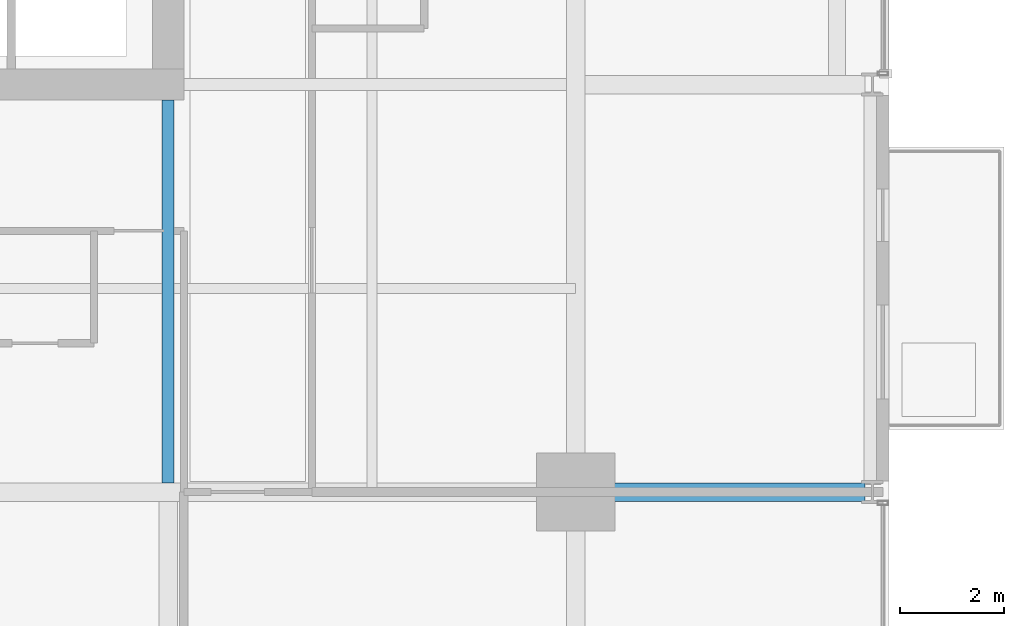
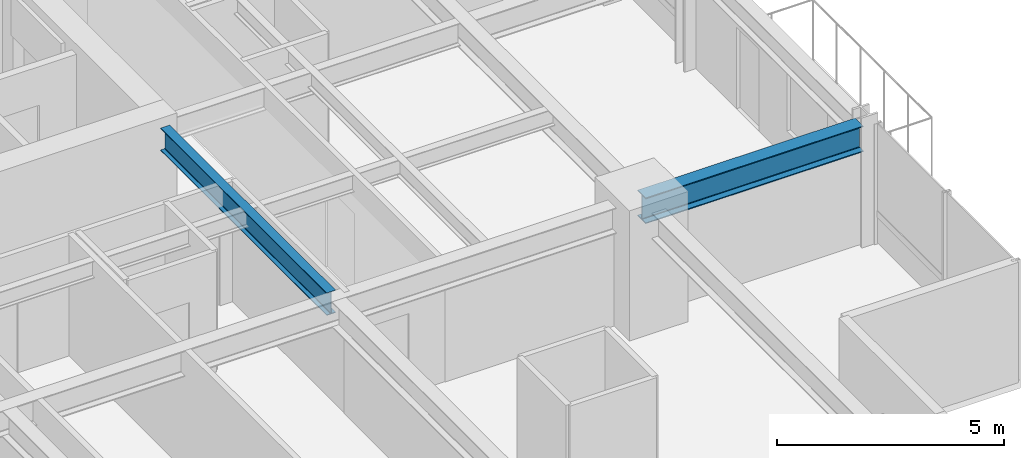
# One storey, part 12 of 34: 2 beams.
"""IFC4 building model written with IfcOpenShell, lengths in metres."""

from ifc_helpers import new_model, si_unit, direction, frame, origin, origin_2d, place, context, subcontext, project, spatial, i_section, extrude, material, material_profile, profile_set, type_object, element, save


model = new_model("IFC4")

# Units and contexts
model_context = context("Model", 3, precision=1e-05, world=origin(), true_north=direction((0.0, 1.0)))
body_context = subcontext(model_context, "Body", "Model", "MODEL_VIEW")
ifc_project = project(units=[si_unit("LENGTHUNIT", "METRE"), si_unit("AREAUNIT", "SQUARE_METRE"), si_unit("VOLUMEUNIT", "CUBIC_METRE"), si_unit("PLANEANGLEUNIT", "RADIAN"), si_unit("MASSUNIT", "GRAM", prefix="KILO")], contexts=[model_context])

# Site, building, storey
site_placement = place(None, origin())
site = spatial("IfcSite", under=ifc_project, at=site_placement, CompositionType="ELEMENT")
building_placement = place(site_placement, origin())
building = spatial("IfcBuilding", under=site, at=building_placement, Name="Drelvath Grand Hotel", CompositionType="ELEMENT")
storey_placement = place(building_placement, frame((0.0, 0.0, 133.800048828125)))
storey = spatial("IfcBuildingStorey", under=building, at=storey_placement, Name="L34", CompositionType="ELEMENT", Elevation=133.800048828125)

# Beams
ifc_material = material(Name="Steel ASTM A992 Gr 50", Category="steel")
ifc_material_profile_1 = material_profile(ifc_material, i_section(OverallWidth=0.228271484375, OverallDepth=0.607666015625, WebThickness=0.01123046875, FlangeThickness=0.017333984375, FilletRadius=0.02001953125, at=origin_2d()), Name="W24X76")
ifc_profile_set_1 = profile_set([ifc_material_profile_1], Name="Steel ASTM A992 Gr 50")
beam_type_1 = type_object("IfcBeamType", Name="Primary Floor Girder W24X76", PredefinedType="BEAM", material=ifc_profile_set_1)
beam_1_placement = place(storey_placement, frame((8.39990234375, 10.977294921875, 2.93603515625), z_axis=(0.0, 1.0, 0.0), x_axis=(-1.0, 0.0, 0.0)))
element("IfcBeam", 1, at=beam_1_placement, inside=storey, type_object=beam_type_1, Name="L34 South Core Tie 6", PredefinedType="BEAM", context=body_context, shape_type="SweptSolid", body=[
    extrude(i_section(OverallWidth=0.228271484375, OverallDepth=0.607666015625, WebThickness=0.01123046875, FlangeThickness=0.017333984375, FilletRadius=0.02001953125, at=origin_2d()), origin(), (0.0, 0.0, 1.0), 7.32275390625),
])
ifc_material_profile_2 = material_profile(ifc_material, i_section(OverallWidth=0.354736328125, OverallDepth=0.695556640625, WebThickness=0.015380859375, FlangeThickness=0.025146484375, FilletRadius=0.02392578125, at=origin_2d()), Name="W27X146")
ifc_profile_set_2 = profile_set([ifc_material_profile_2], Name="Steel ASTM A992 Gr 50")
beam_type_2 = type_object("IfcBeamType", Name="Primary Floor Girder W27X146", PredefinedType="BEAM", material=ifc_profile_set_2)
beam_2_placement = place(storey_placement, frame((16.199951171875, 10.800048828125, 2.892333984375), z_axis=(1.0, 0.0, 0.0), x_axis=(0.0, 1.0, 0.0)))
element("IfcBeam", 2, at=beam_2_placement, inside=storey, type_object=beam_type_2, Name="L34 East Grid Girder C", PredefinedType="BEAM", context=body_context, shape_type="SweptSolid", body=[
    extrude(i_section(OverallWidth=0.354736328125, OverallDepth=0.695556640625, WebThickness=0.015380859375, FlangeThickness=0.025146484375, FilletRadius=0.02392578125, at=origin_2d()), origin(), (0.0, 0.0, 1.0), 5.5400390625),
])

save(model, "model.ifc")
